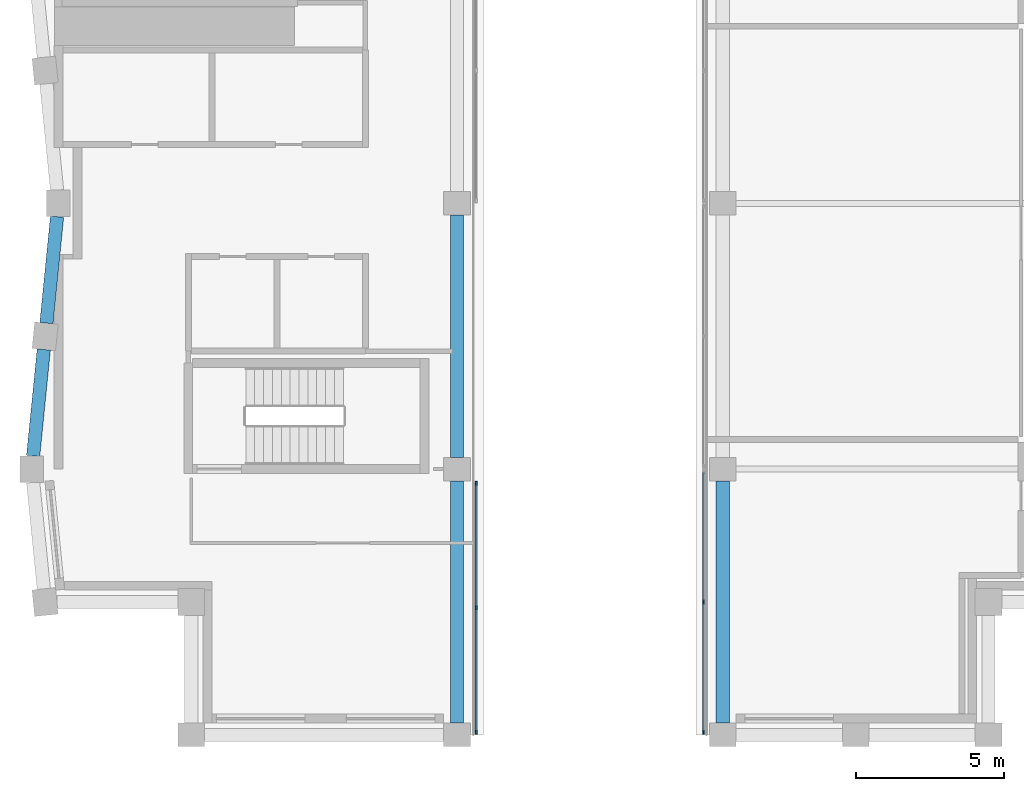
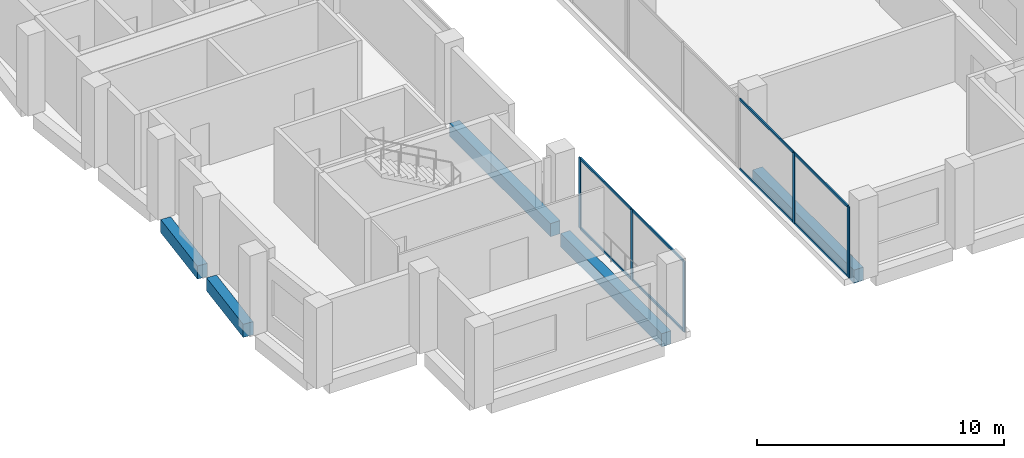
# One storey, part 2 of 9: 13 members, 5 beams, 2 elements without a shape of their own.
"""IFC4 building model written with IfcOpenShell, lengths in metres."""

from ifc_helpers import new_model, si_unit, direction, frame, origin, origin_2d, place, context, subcontext, project, spatial, rectangle, extrude, material, material_profile, profile_set, type_object, element, aggregate, save


model = new_model("IFC4")

# Units and contexts
model_context = context("Model", 3, precision=1e-05, world=origin(), true_north=direction((0.0, 1.0)))
body_context = subcontext(model_context, "Body", "Model", "MODEL_VIEW")
ifc_project = project(units=[si_unit("LENGTHUNIT", "METRE"), si_unit("AREAUNIT", "SQUARE_METRE"), si_unit("VOLUMEUNIT", "CUBIC_METRE"), si_unit("PLANEANGLEUNIT", "RADIAN"), si_unit("MASSUNIT", "GRAM", prefix="KILO")], contexts=[model_context])

# Site, building, storey
site_placement = place(None, origin())
site = spatial("IfcSite", under=ifc_project, at=site_placement, CompositionType="ELEMENT")
building_placement = place(site_placement, origin())
building = spatial("IfcBuilding", under=site, at=building_placement, Name="Brondeck Convention Tower", CompositionType="ELEMENT")
storey_placement = place(building_placement, frame((0.0, 0.0, 286.800048828125)))
storey = spatial("IfcBuildingStorey", under=building, at=storey_placement, Name="L71", CompositionType="ELEMENT", Elevation=286.800048828125)

# Curtain wall, members
ifc_material_1 = material(Name="Aluminium, bronze anodised", Category="aluminium")
curtain_wall_type = type_object("IfcCurtainWallType", Name="Crown screen curtain wall", PredefinedType="NOTDEFINED", material=ifc_material_1)
curtain_wall_1_placement = place(storey_placement, origin())
curtain_wall_1 = element("IfcCurtainWall", 1, at=curtain_wall_1_placement, inside=storey, type_object=curtain_wall_type, Name="ENV-CW4-L71-K1-SLOT-W-00-2", PredefinedType="NOTDEFINED")
ifc_material_profile_1 = material_profile(ifc_material_1, rectangle(XDim=0.06005859375, YDim=0.139892578125, at=origin_2d()), Name="CW4 mullion")
ifc_profile_set_1 = profile_set([ifc_material_profile_1], Name="Aluminium, bronze anodised")
member_type_1 = type_object("IfcMemberType", Name="CW4 mullion", PredefinedType="MULLION", material=ifc_profile_set_1)
member_1_placement = place(storey_placement, frame((14.14990234375, 35.52001953125, 0.0), z_axis=(0.0, 0.0, 1.0), x_axis=(1.0, 0.0, 0.0)))
member_1 = element("IfcMember", 2, at=member_1_placement, type_object=member_type_1, Name="CW4 mullion 1", PredefinedType="MULLION", context=body_context, shape_type="SweptSolid", body=[
    extrude(rectangle(XDim=0.06005859375, YDim=0.139892578125, at=origin_2d()), origin(), (0.0, 0.0, 1.0), 3.5),
])
member_2_placement = place(storey_placement, frame((14.14990234375, 31.304931640625, 0.0), z_axis=(0.0, 0.0, 1.0), x_axis=(1.0, 0.0, 0.0)))
member_2 = element("IfcMember", 3, at=member_2_placement, type_object=member_type_1, Name="CW4 mullion 2", PredefinedType="MULLION", context=body_context, shape_type="SweptSolid", body=[
    extrude(rectangle(XDim=0.06005859375, YDim=0.139892578125, at=origin_2d()), origin(), (0.0, 0.0, 1.0), 3.5),
])
member_3_placement = place(storey_placement, frame((14.14990234375, 27.090087890625, 0.0), z_axis=(0.0, 0.0, 1.0), x_axis=(1.0, 0.0, 0.0)))
member_3 = element("IfcMember", 4, at=member_3_placement, type_object=member_type_1, Name="CW4 mullion 3", PredefinedType="MULLION", context=body_context, shape_type="SweptSolid", body=[
    extrude(rectangle(XDim=0.06005859375, YDim=0.139892578125, at=origin_2d()), origin(), (0.0, 0.0, 1.0), 3.5),
])

curtain_wall_2_placement = place(storey_placement, origin())
curtain_wall_2 = element("IfcCurtainWall", 5, at=curtain_wall_2_placement, inside=storey, type_object=curtain_wall_type, Name="ENV-CW4-L71-K2-SLOT-E-07-1", PredefinedType="NOTDEFINED")
member_4_placement = place(storey_placement, frame((21.85009765625, 27.090087890625, 0.0), z_axis=(0.0, 0.0, 1.0), x_axis=(-1.0, 0.0, 0.0)))
member_4 = element("IfcMember", 6, at=member_4_placement, type_object=member_type_1, Name="CW4 mullion 1", PredefinedType="MULLION", context=body_context, shape_type="SweptSolid", body=[
    extrude(rectangle(XDim=0.06005859375, YDim=0.139892578125, at=origin_2d()), origin(), (0.0, 0.0, 1.0), 3.5),
])
member_5_placement = place(storey_placement, frame((21.85009765625, 31.5, 0.0), z_axis=(0.0, 0.0, 1.0), x_axis=(-1.0, 0.0, 0.0)))
member_5 = element("IfcMember", 7, at=member_5_placement, type_object=member_type_1, Name="CW4 mullion 2", PredefinedType="MULLION", context=body_context, shape_type="SweptSolid", body=[
    extrude(rectangle(XDim=0.06005859375, YDim=0.139892578125, at=origin_2d()), origin(), (0.0, 0.0, 1.0), 3.5),
])

# Member
ifc_material_profile_2 = material_profile(ifc_material_1, rectangle(XDim=0.06005859375, YDim=0.1201171875, at=origin_2d()), Name="CW4 transom")
ifc_profile_set_2 = profile_set([ifc_material_profile_2], Name="Aluminium, bronze anodised")
member_type_2 = type_object("IfcMemberType", Name="CW4 transom", PredefinedType="USERDEFINED", material=ifc_profile_set_2)
member_6_placement = place(storey_placement, frame((14.14990234375, 35.489990234375, 0.030029296875), z_axis=(0.0, -1.0, 0.0), x_axis=(1.0, 0.0, 0.0)))
member_6 = element("IfcMember", 8, at=member_6_placement, type_object=member_type_2, Name="CW4 transom 1.1", ObjectType="TRANSOM", PredefinedType="USERDEFINED", context=body_context, shape_type="SweptSolid", body=[
    extrude(rectangle(XDim=0.06005859375, YDim=0.1201171875, at=origin_2d()), origin(), (0.0, 0.0, 1.0), 4.155029296875),
])

member_7_placement = place(storey_placement, frame((14.14990234375, 35.489990234375, 3.469970703125), z_axis=(0.0, -1.0, 0.0), x_axis=(1.0, 0.0, 0.0)))
member_7 = element("IfcMember", 9, at=member_7_placement, type_object=member_type_2, Name="CW4 transom 1.2", ObjectType="TRANSOM", PredefinedType="USERDEFINED", context=body_context, shape_type="SweptSolid", body=[
    extrude(rectangle(XDim=0.06005859375, YDim=0.1201171875, at=origin_2d()), origin(), (0.0, 0.0, 1.0), 4.155029296875),
])

member_8_placement = place(storey_placement, frame((14.14990234375, 31.27490234375, 0.030029296875), z_axis=(0.0, -1.0, 0.0), x_axis=(1.0, 0.0, 0.0)))
member_8 = element("IfcMember", 10, at=member_8_placement, type_object=member_type_2, Name="CW4 transom 2.1", ObjectType="TRANSOM", PredefinedType="USERDEFINED", context=body_context, shape_type="SweptSolid", body=[
    extrude(rectangle(XDim=0.06005859375, YDim=0.1201171875, at=origin_2d()), origin(), (0.0, 0.0, 1.0), 4.15478515625),
])

member_9_placement = place(storey_placement, frame((14.14990234375, 31.27490234375, 3.469970703125), z_axis=(0.0, -1.0, 0.0), x_axis=(1.0, 0.0, 0.0)))
member_9 = element("IfcMember", 11, at=member_9_placement, type_object=member_type_2, Name="CW4 transom 2.2", ObjectType="TRANSOM", PredefinedType="USERDEFINED", context=body_context, shape_type="SweptSolid", body=[
    extrude(rectangle(XDim=0.06005859375, YDim=0.1201171875, at=origin_2d()), origin(), (0.0, 0.0, 1.0), 4.15478515625),
])

aggregate(curtain_wall_1, [member_1, member_2, member_3, member_6, member_7, member_8, member_9])

member_10_placement = place(storey_placement, frame((21.85009765625, 27.1201171875, 0.030029296875), z_axis=(0.0, 1.0, 0.0), x_axis=(-1.0, 0.0, 0.0)))
member_10 = element("IfcMember", 12, at=member_10_placement, type_object=member_type_2, Name="CW4 transom 1.1", ObjectType="TRANSOM", PredefinedType="USERDEFINED", context=body_context, shape_type="SweptSolid", body=[
    extrude(rectangle(XDim=0.06005859375, YDim=0.1201171875, at=origin_2d()), origin(), (0.0, 0.0, 1.0), 4.349853515625),
])

member_11_placement = place(storey_placement, frame((21.85009765625, 27.1201171875, 3.469970703125), z_axis=(0.0, 1.0, 0.0), x_axis=(-1.0, 0.0, 0.0)))
member_11 = element("IfcMember", 13, at=member_11_placement, type_object=member_type_2, Name="CW4 transom 1.2", ObjectType="TRANSOM", PredefinedType="USERDEFINED", context=body_context, shape_type="SweptSolid", body=[
    extrude(rectangle(XDim=0.06005859375, YDim=0.1201171875, at=origin_2d()), origin(), (0.0, 0.0, 1.0), 4.349853515625),
])

member_12_placement = place(storey_placement, frame((21.85009765625, 31.530029296875, 0.030029296875), z_axis=(0.0, 1.0, 0.0), x_axis=(-1.0, 0.0, 0.0)))
member_12 = element("IfcMember", 14, at=member_12_placement, type_object=member_type_2, Name="CW4 transom 2.1", ObjectType="TRANSOM", PredefinedType="USERDEFINED", context=body_context, shape_type="SweptSolid", body=[
    extrude(rectangle(XDim=0.06005859375, YDim=0.1201171875, at=origin_2d()), origin(), (0.0, 0.0, 1.0), 4.349853515625),
])

member_13_placement = place(storey_placement, frame((21.85009765625, 31.530029296875, 3.469970703125), z_axis=(0.0, 1.0, 0.0), x_axis=(-1.0, 0.0, 0.0)))
member_13 = element("IfcMember", 15, at=member_13_placement, type_object=member_type_2, Name="CW4 transom 2.2", ObjectType="TRANSOM", PredefinedType="USERDEFINED", context=body_context, shape_type="SweptSolid", body=[
    extrude(rectangle(XDim=0.06005859375, YDim=0.1201171875, at=origin_2d()), origin(), (0.0, 0.0, 1.0), 4.349853515625),
])

aggregate(curtain_wall_2, [member_4, member_5, member_10, member_11, member_12, member_13])

# Beams
ifc_material_2 = material(Name="Concrete C50/60", Category="concrete")
ifc_material_profile_3 = material_profile(ifc_material_2, rectangle(XDim=0.449951171875, YDim=0.64990234375, at=origin_2d()), Name="Precast spandrel 450x650 Concrete C50/60")
ifc_profile_set_3 = profile_set([ifc_material_profile_3], Name="Concrete C50/60")
beam_type = type_object("IfcBeamType", Name="Precast spandrel 450x650 Concrete C50/60", PredefinedType="SPANDREL", material=ifc_profile_set_3)
for number, where, z_axis, x_axis, name in (
    (16, (13.5, 27.39990234375, -0.324951171875), (0.0, 1.0, 0.0), (-1.0, 0.0, 0.0), "STR-SP-L71K1-002"),
    (17, (13.5, 36.39990234375, -0.324951171875), (0.0, 1.0, 0.0), (-1.0, 0.0, 0.0), "STR-SP-L71K1-003"),
):
    element("IfcBeam", number, at=place(storey_placement, frame(where, z_axis=z_axis, x_axis=x_axis)), inside=storey, type_object=beam_type, Name=name, PredefinedType="SPANDREL", context=body_context, shape_type="SweptSolid", body=[
        extrude(rectangle(XDim=0.449951171875, YDim=0.64990234375, at=origin_2d()), origin(), (0.0, 0.0, 1.0), 8.2001953125),
    ])
for number, where, z_axis, x_axis, name in (
    (18, (-0.044921875, 44.550048828125, -0.324951171875), (-0.099537103649, -0.995033851182, 0.0), (0.995033851182, -0.099537103649, 0.0), "STR-SP-L71K1-013"),
    (19, (-0.494873046875, 40.05224609375, -0.324951171875), (-0.099470334057, -0.995040528141, 0.0), (0.995040528141, -0.099470334057, 0.0), "STR-SP-L71K1-014"),
):
    element("IfcBeam", number, at=place(storey_placement, frame(where, z_axis=z_axis, x_axis=x_axis)), inside=storey, type_object=beam_type, Name=name, PredefinedType="SPANDREL", context=body_context, shape_type="SweptSolid", body=[
        extrude(rectangle(XDim=0.449951171875, YDim=0.64990234375, at=origin_2d()), origin(), (0.0, 0.0, 1.0), 3.620361328125),
    ])
beam_placement = place(storey_placement, frame((22.5, 35.60009765625, -0.324951171875), z_axis=(0.0, -1.0, 0.0), x_axis=(1.0, 0.0, 0.0)))
element("IfcBeam", 20, at=beam_placement, inside=storey, type_object=beam_type, Name="STR-SP-L71K2-017", PredefinedType="SPANDREL", context=body_context, shape_type="SweptSolid", body=[
    extrude(rectangle(XDim=0.449951171875, YDim=0.64990234375, at=origin_2d()), origin(), (0.0, 0.0, 1.0), 8.2001953125),
])

save(model, "model.ifc")
